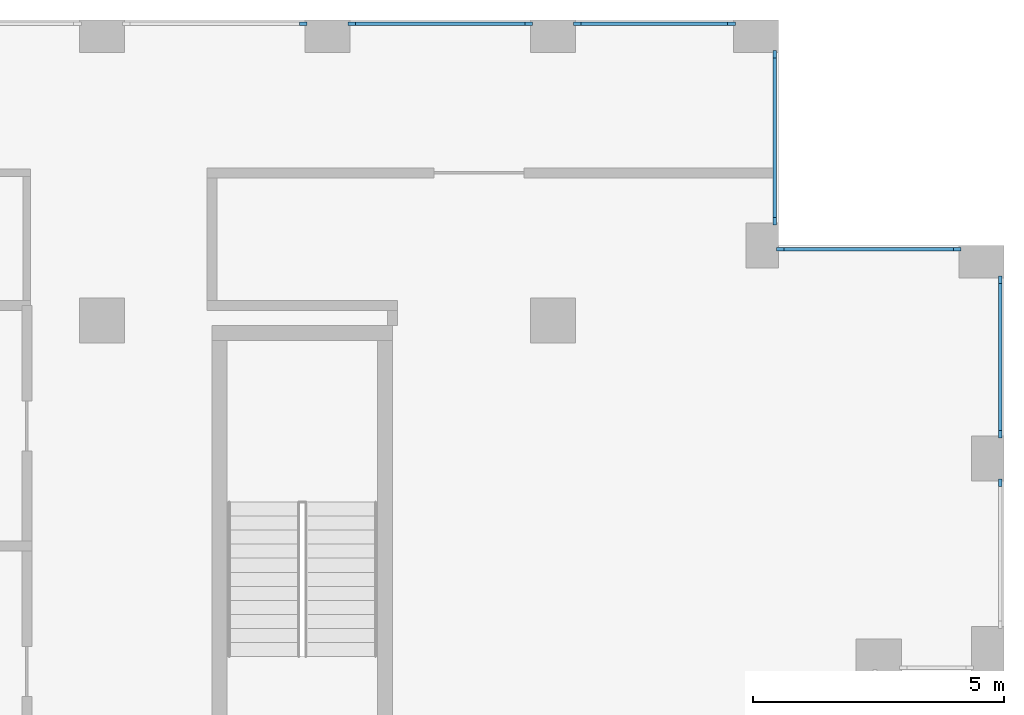
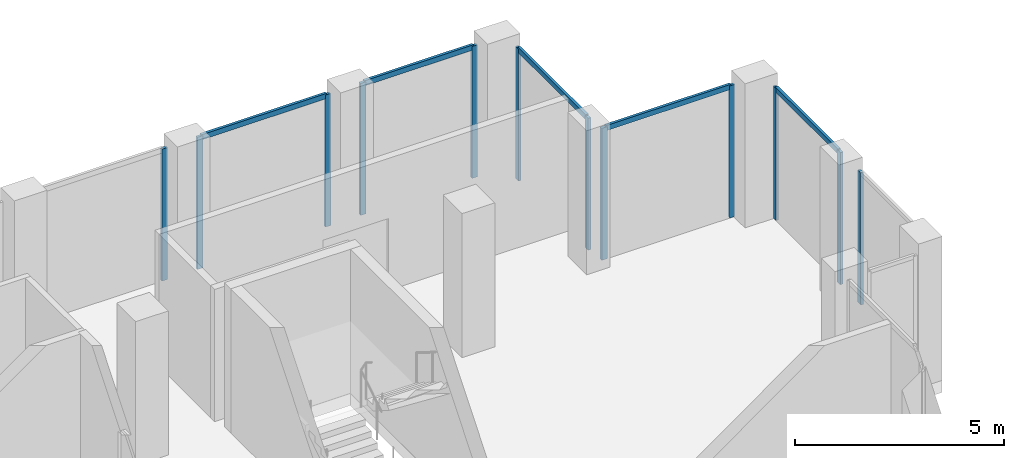
# One storey, part 9 of 15: 17 members, 7 elements without a shape of their own.
"""IFC4 building model written with IfcOpenShell, lengths in metres."""

import ifcopenshell
import ifcopenshell.guid

model = None  # the IFC model being written
_history = None  # IfcOwnerHistory: only IFC2X3 demands one
_inside = {}  # id of a spatial element -> (the spatial element, [elements in it])
_under = {}  # id of a project, library or spatial element -> (it, [spatial elements below it])
_declared = {}  # id of a project -> (the project, [libraries it declares])
_typed = {}  # id of a type object -> (the type object, [elements of that type])
_made_of = {}  # id of a material, layer set ... -> (it, [elements and type objects made of it])


def new_model(schema):
    """Start an empty IFC model of exactly this schema.

    Asked for "IFC4X3", IfcOpenShell would pick the latest addendum, in which some entities
    have other attributes; the version numbers below select the first issue.
    IFC2X3 requires an IfcOwnerHistory on every rooted entity: one is made here for all.
    """
    global model, _history
    if schema == "IFC4X3":
        model = ifcopenshell.file(schema_version=(4, 3, 0, 0))
    else:
        model = ifcopenshell.file(schema=schema)
    _inside.clear()
    _under.clear()
    _declared.clear()
    _typed.clear()
    _made_of.clear()
    _history = None
    if model.schema == "IFC2X3":
        org = make("IfcOrganization", Name="unknown")
        user = make(
            "IfcPersonAndOrganization",
            ThePerson=make("IfcPerson", FamilyName="unknown"),
            TheOrganization=org,
        )
        app = make(
            "IfcApplication",
            ApplicationDeveloper=org,
            Version="unknown",
            ApplicationFullName="unknown",
            ApplicationIdentifier="unknown",
        )
        _history = make(
            "IfcOwnerHistory",
            OwningUser=user,
            OwningApplication=app,
            ChangeAction="ADDED",
            CreationDate=0,
        )
    return model


def make(cls, **values):
    """One entity of the class cls with the attributes given. An attribute that is None is left unset."""
    return model.create_entity(
        cls, **{name: value for name, value in values.items() if value is not None}
    )


def rooted(cls, **values):
    """An entity with a GlobalId (a new one), such as an element, a storey or a relation."""
    return make(cls, GlobalId=ifcopenshell.guid.new(), OwnerHistory=_history, **values)


def si_unit(unit_type, name, prefix=None):
    """IfcSIUnit, for example si_unit("LENGTHUNIT", "METRE", prefix="MILLI")."""
    return make("IfcSIUnit", UnitType=unit_type, Prefix=prefix, Name=name)


def assignment(units):
    """IfcUnitAssignment: the units of a project."""
    return None if units is None else make("IfcUnitAssignment", Units=units)


def point(xyz):
    """IfcCartesianPoint."""
    return None if xyz is None else make("IfcCartesianPoint", Coordinates=xyz)


def direction(xyz):
    """IfcDirection."""
    return None if xyz is None else make("IfcDirection", DirectionRatios=xyz)


def frame(location, z_axis=None, x_axis=None):
    """IfcAxis2Placement3D, a coordinate frame: its origin and axes. An axis left out is left unset."""
    return make(
        "IfcAxis2Placement3D",
        Location=point(location),
        Axis=direction(z_axis),
        RefDirection=direction(x_axis),
    )


def frame_2d(location, x_axis=None):
    """IfcAxis2Placement2D, a coordinate frame in the plane: its origin and x axis."""
    return make(
        "IfcAxis2Placement2D", Location=point(location), RefDirection=direction(x_axis)
    )


def origin():
    """The frame at (0, 0, 0) with its axes left unset."""
    return frame((0.0, 0.0, 0.0))


def origin_2d():
    """The frame at (0, 0) in the plane with its x axis left unset."""
    return frame_2d((0.0, 0.0))


def place(relative_to, where):
    """IfcLocalPlacement: puts the frame where relative to a parent placement (None: the world)."""
    return make(
        "IfcLocalPlacement", PlacementRelTo=relative_to, RelativePlacement=where
    )


def context(
    kind, dimensions, precision=None, world=None, true_north=None, identifier=None
):
    """IfcGeometricRepresentationContext, for example the 3D "Model" context."""
    return make(
        "IfcGeometricRepresentationContext",
        ContextIdentifier=identifier,
        ContextType=kind,
        CoordinateSpaceDimension=dimensions,
        Precision=precision,
        WorldCoordinateSystem=world,
        TrueNorth=true_north,
    )


def subcontext(parent, identifier, kind, view, scale=None):
    """IfcGeometricRepresentationSubContext, for example "Body" below "Model"."""
    return make(
        "IfcGeometricRepresentationSubContext",
        ContextIdentifier=identifier,
        ContextType=kind,
        ParentContext=parent,
        TargetScale=scale,
        TargetView=view,
    )


def project(units=None, contexts=None):
    """IfcProject with its units and contexts."""
    return rooted(
        "IfcProject",
        Name="project",
        RepresentationContexts=contexts,
        UnitsInContext=assignment(units),
    )


def spatial(cls, under=None, at=None, **own):
    """A site, building, storey or space (cls), placed at a placement, below another one or the project."""
    s = rooted(cls, ObjectPlacement=at, **own)
    if under is not None:
        _under.setdefault(under.id(), (under, []))[1].append(s)
    return s


def profile(cls, at=None, kind="AREA", **sizes):
    """A parametric profile (cls). Its sizes go by their IFC names, for example OverallWidth=200.0."""
    return make(cls, ProfileType=kind, Position=at, **sizes)


def rectangle(**sizes):
    """IfcRectangleProfileDef."""
    return profile("IfcRectangleProfileDef", **sizes)


def extrude(swept, where, along, depth):
    """IfcExtrudedAreaSolid: the profile swept, set in the frame where, extruded along a direction by depth."""
    return make(
        "IfcExtrudedAreaSolid",
        SweptArea=swept,
        Position=where,
        ExtrudedDirection=direction(along),
        Depth=depth,
    )


def shape(context_of_items, identifier, shape_type, items):
    """IfcShapeRepresentation: the items that make up one representation, for example the "Body"."""
    return make(
        "IfcShapeRepresentation",
        ContextOfItems=context_of_items,
        RepresentationIdentifier=identifier,
        RepresentationType=shape_type,
        Items=items,
    )


def material(Name=None, Category=None):
    """IfcMaterial."""
    return make("IfcMaterial", Name=Name, Category=Category)


def layer(
    of_material, thickness, ventilated=None, Name=None, Category=None, Priority=None
):
    """IfcMaterialLayer: one layer of a wall or slab, of a material (None: an air gap)."""
    return make(
        "IfcMaterialLayer",
        Material=of_material,
        LayerThickness=thickness,
        IsVentilated=ventilated,
        Name=Name,
        Category=Category,
        Priority=Priority,
    )


def layer_set(layers, Name=None):
    """IfcMaterialLayerSet."""
    return make("IfcMaterialLayerSet", MaterialLayers=layers, LayerSetName=Name)


def material_profile(
    of_material, cross_section, Name=None, Category=None, Priority=None
):
    """IfcMaterialProfile: a cross section and its material."""
    return make(
        "IfcMaterialProfile",
        Name=Name,
        Material=of_material,
        Profile=cross_section,
        Priority=Priority,
        Category=Category,
    )


def profile_set(profiles, Name=None, composite=None):
    """IfcMaterialProfileSet."""
    return make(
        "IfcMaterialProfileSet",
        Name=Name,
        MaterialProfiles=profiles,
        CompositeProfile=composite,
    )


def made_of(thing, what):
    """Note that an element or type object is made of a material, layer set ...; save() writes the relation."""
    if what is not None:
        _made_of.setdefault(what.id(), (what, []))[1].append(thing)
    return thing


def type_object(cls, material=None, **own):
    """A type object (cls), such as IfcWallType, which elements share."""
    return made_of(rooted(cls, **own), material)


def element(
    cls,
    number,
    at=None,
    inside=None,
    cuts=None,
    type_object=None,
    material=None,
    context=None,
    identifier="Body",
    shape_type=None,
    held_by="IfcProductDefinitionShape",
    body=None,
    shapes=None,
    **own,
):
    """One element of the class cls, such as IfcWall. Its Tag is "e" and its number.

    at: its placement. inside: the storey or other place that contains it. cuts: it is an
    opening in that element (IfcRelVoidsElement). A single representation is given by context,
    identifier, shape_type and body (its items); several are given by shapes. held_by: the class
    of the entity that holds the representations. save() writes the other relations.
    """
    e = rooted(cls, Tag="e%d" % number, ObjectPlacement=at, **own)
    if body is not None:
        shapes = [shape(context, identifier, shape_type, body)]
    if shapes is not None:
        e.Representation = make(held_by, Representations=shapes)
    if inside is not None:
        _inside.setdefault(inside.id(), (inside, []))[1].append(e)
    if cuts is not None:
        rooted(
            "IfcRelVoidsElement", RelatingBuildingElement=cuts, RelatedOpeningElement=e
        )
    if type_object is not None:
        _typed.setdefault(type_object.id(), (type_object, []))[1].append(e)
    return made_of(e, material)


def aggregate(whole, parts):
    """IfcRelAggregates: a whole, such as a stair, and the parts it consists of."""
    return rooted("IfcRelAggregates", RelatingObject=whole, RelatedObjects=parts)


def save(model, path):
    """Write the relations noted so far, then the file.

    IfcRelAggregates (storeys below a building ...), IfcRelContainedInSpatialStructure (elements
    in a storey), IfcRelDefinesByType, IfcRelAssociatesMaterial and IfcRelDeclares: one each for
    every whole, place, type object, material and project.
    """
    for whole, parts in _under.values():
        aggregate(whole, parts)
    for where, things in _inside.values():
        rooted(
            "IfcRelContainedInSpatialStructure",
            RelatedElements=things,
            RelatingStructure=where,
        )
    for kind, things in _typed.values():
        rooted("IfcRelDefinesByType", RelatedObjects=things, RelatingType=kind)
    for what, things in _made_of.values():
        rooted("IfcRelAssociatesMaterial", RelatedObjects=things, RelatingMaterial=what)
    for by, libraries in _declared.values():
        rooted("IfcRelDeclares", RelatingContext=by, RelatedDefinitions=libraries)
    model.write(path)


model = new_model("IFC4")

# Units and contexts
model_context = context("Model", 3, precision=1e-05, world=origin(), true_north=direction((0.0, 1.0)))
body_context = subcontext(model_context, "Body", "Model", "MODEL_VIEW")
ifc_project = project(units=[si_unit("LENGTHUNIT", "METRE"), si_unit("AREAUNIT", "SQUARE_METRE"), si_unit("VOLUMEUNIT", "CUBIC_METRE"), si_unit("PLANEANGLEUNIT", "RADIAN"), si_unit("MASSUNIT", "GRAM", prefix="KILO")], contexts=[model_context])

# Site, building, storey
site_placement = place(None, origin())
site = spatial("IfcSite", under=ifc_project, at=site_placement, CompositionType="ELEMENT")
building_placement = place(site_placement, origin())
building = spatial("IfcBuilding", under=site, at=building_placement, Name="Brigalow Station Residences", CompositionType="ELEMENT")
storey_placement = place(building_placement, frame((0.0, 0.0, 240.0)))
storey = spatial("IfcBuildingStorey", under=building, at=storey_placement, Name="L69", CompositionType="ELEMENT", Elevation=240.0)

# Curtain wall, member
ifc_material_1 = material(Name="Aluminium", Category="aluminium")
ifc_layer = layer(ifc_material_1, 0.14990234375)
ifc_layer_set = layer_set([ifc_layer], Name="CROWN CURTAIN WALL")
curtain_wall_type = type_object("IfcCurtainWallType", Name="CROWN CURTAIN WALL", PredefinedType="NOTDEFINED", material=ifc_layer_set)
curtain_wall_1_placement = place(storey_placement, origin())
curtain_wall_1 = element("IfcCurtainWall", 1, at=curtain_wall_1_placement, inside=storey, type_object=curtain_wall_type, Name="L69/cw/crown-W-L69-16-15", PredefinedType="NOTDEFINED")
ifc_material_2 = material(Name="Aluminium", Category="aluminium")
ifc_material_profile_1 = material_profile(ifc_material_2, rectangle(XDim=0.074951171875, YDim=0.14990234375, at=origin_2d()), Name="CROWN MULLION 75x150")
ifc_profile_set_1 = profile_set([ifc_material_profile_1], Name="Aluminium")
member_type_1 = type_object("IfcMemberType", Name="CROWN MULLION 75x150", PredefinedType="MULLION", material=ifc_profile_set_1)
member_1_placement = place(storey_placement, frame((71.925048828125, 32.262451171875, 0.0), z_axis=(0.0, 0.0, 1.0), x_axis=(-1.0, 0.0, 0.0)))
member_1 = element("IfcMember", 2, at=member_1_placement, type_object=member_type_1, Name="L69/cw/crown-W-L69-16-15/M01", PredefinedType="MULLION", context=body_context, shape_type="SweptSolid", body=[
    extrude(rectangle(XDim=0.074951171875, YDim=0.14990234375, at=origin_2d()), origin(), (0.0, 0.0, 1.0), 3.85009765625),
])
aggregate(curtain_wall_1, [member_1])

# Curtain wall, members
curtain_wall_2_placement = place(storey_placement, origin())
curtain_wall_2 = element("IfcCurtainWall", 3, at=curtain_wall_2_placement, inside=storey, type_object=curtain_wall_type, Name="L69/cw/crown-W-L69-16-16", PredefinedType="NOTDEFINED")
member_2_placement = place(storey_placement, frame((71.925048828125, 33.237548828125, 0.0), z_axis=(0.0, 0.0, 1.0), x_axis=(-1.0, 0.0, 0.0)))
member_2 = element("IfcMember", 4, at=member_2_placement, type_object=member_type_1, Name="L69/cw/crown-W-L69-16-16/M00", PredefinedType="MULLION", context=body_context, shape_type="SweptSolid", body=[
    extrude(rectangle(XDim=0.074951171875, YDim=0.14990234375, at=origin_2d()), origin(), (0.0, 0.0, 1.0), 3.85009765625),
])
member_3_placement = place(storey_placement, frame((71.925048828125, 36.3125, 0.0), z_axis=(0.0, 0.0, 1.0), x_axis=(-1.0, 0.0, 0.0)))
member_3 = element("IfcMember", 5, at=member_3_placement, type_object=member_type_1, Name="L69/cw/crown-W-L69-16-16/M01", PredefinedType="MULLION", context=body_context, shape_type="SweptSolid", body=[
    extrude(rectangle(XDim=0.074951171875, YDim=0.14990234375, at=origin_2d()), origin(), (0.0, 0.0, 1.0), 3.85009765625),
])

curtain_wall_3_placement = place(storey_placement, origin())
curtain_wall_3 = element("IfcCurtainWall", 6, at=curtain_wall_3_placement, inside=storey, type_object=curtain_wall_type, Name="L69/cw/crown-W-L69-18-17", PredefinedType="NOTDEFINED")
member_4_placement = place(storey_placement, frame((71.0625, 36.925048828125, 0.0), z_axis=(0.0, 0.0, 1.0), x_axis=(0.0, -1.0, 0.0)))
member_4 = element("IfcMember", 7, at=member_4_placement, type_object=member_type_1, Name="L69/cw/crown-W-L69-18-17/M00", PredefinedType="MULLION", context=body_context, shape_type="SweptSolid", body=[
    extrude(rectangle(XDim=0.074951171875, YDim=0.14990234375, at=origin_2d()), origin(), (0.0, 0.0, 1.0), 3.85009765625),
])
member_5_placement = place(storey_placement, frame((67.53759765625, 36.925048828125, 0.0), z_axis=(0.0, 0.0, 1.0), x_axis=(0.0, -1.0, 0.0)))
member_5 = element("IfcMember", 8, at=member_5_placement, type_object=member_type_1, Name="L69/cw/crown-W-L69-18-17/M01", PredefinedType="MULLION", context=body_context, shape_type="SweptSolid", body=[
    extrude(rectangle(XDim=0.074951171875, YDim=0.14990234375, at=origin_2d()), origin(), (0.0, 0.0, 1.0), 3.85009765625),
])

curtain_wall_4_placement = place(storey_placement, origin())
curtain_wall_4 = element("IfcCurtainWall", 9, at=curtain_wall_4_placement, inside=storey, type_object=curtain_wall_type, Name="L69/cw/crown-W-L69-19-18", PredefinedType="NOTDEFINED")
member_6_placement = place(storey_placement, frame((67.425048828125, 37.487548828125, 0.0), z_axis=(0.0, 0.0, 1.0), x_axis=(-1.0, 0.0, 0.0)))
member_6 = element("IfcMember", 10, at=member_6_placement, type_object=member_type_1, Name="L69/cw/crown-W-L69-19-18/M00", PredefinedType="MULLION", context=body_context, shape_type="SweptSolid", body=[
    extrude(rectangle(XDim=0.074951171875, YDim=0.14990234375, at=origin_2d()), origin(), (0.0, 0.0, 1.0), 3.85009765625),
])
member_7_placement = place(storey_placement, frame((67.425048828125, 40.8125, 0.0), z_axis=(0.0, 0.0, 1.0), x_axis=(-1.0, 0.0, 0.0)))
member_7 = element("IfcMember", 11, at=member_7_placement, type_object=member_type_1, Name="L69/cw/crown-W-L69-19-18/M01", PredefinedType="MULLION", context=body_context, shape_type="SweptSolid", body=[
    extrude(rectangle(XDim=0.074951171875, YDim=0.14990234375, at=origin_2d()), origin(), (0.0, 0.0, 1.0), 3.85009765625),
])

curtain_wall_5_placement = place(storey_placement, origin())
curtain_wall_5 = element("IfcCurtainWall", 12, at=curtain_wall_5_placement, inside=storey, type_object=curtain_wall_type, Name="L69/cw/crown-W-L69-20-19", PredefinedType="NOTDEFINED")
member_8_placement = place(storey_placement, frame((66.5625, 41.425048828125, 0.0), z_axis=(0.0, 0.0, 1.0), x_axis=(0.0, -1.0, 0.0)))
member_8 = element("IfcMember", 13, at=member_8_placement, type_object=member_type_1, Name="L69/cw/crown-W-L69-20-19/M00", PredefinedType="MULLION", context=body_context, shape_type="SweptSolid", body=[
    extrude(rectangle(XDim=0.074951171875, YDim=0.14990234375, at=origin_2d()), origin(), (0.0, 0.0, 1.0), 3.85009765625),
])
member_9_placement = place(storey_placement, frame((63.487548828125, 41.425048828125, 0.0), z_axis=(0.0, 0.0, 1.0), x_axis=(0.0, -1.0, 0.0)))
member_9 = element("IfcMember", 14, at=member_9_placement, type_object=member_type_1, Name="L69/cw/crown-W-L69-20-19/M01", PredefinedType="MULLION", context=body_context, shape_type="SweptSolid", body=[
    extrude(rectangle(XDim=0.074951171875, YDim=0.14990234375, at=origin_2d()), origin(), (0.0, 0.0, 1.0), 3.85009765625),
])

curtain_wall_6_placement = place(storey_placement, origin())
curtain_wall_6 = element("IfcCurtainWall", 15, at=curtain_wall_6_placement, inside=storey, type_object=curtain_wall_type, Name="L69/cw/crown-W-L69-20-20", PredefinedType="NOTDEFINED")
member_10_placement = place(storey_placement, frame((62.512451171875, 41.425048828125, 0.0), z_axis=(0.0, 0.0, 1.0), x_axis=(0.0, -1.0, 0.0)))
member_10 = element("IfcMember", 16, at=member_10_placement, type_object=member_type_1, Name="L69/cw/crown-W-L69-20-20/M00", PredefinedType="MULLION", context=body_context, shape_type="SweptSolid", body=[
    extrude(rectangle(XDim=0.074951171875, YDim=0.14990234375, at=origin_2d()), origin(), (0.0, 0.0, 1.0), 3.85009765625),
])
member_11_placement = place(storey_placement, frame((58.987548828125, 41.425048828125, 0.0), z_axis=(0.0, 0.0, 1.0), x_axis=(0.0, -1.0, 0.0)))
member_11 = element("IfcMember", 17, at=member_11_placement, type_object=member_type_1, Name="L69/cw/crown-W-L69-20-20/M01", PredefinedType="MULLION", context=body_context, shape_type="SweptSolid", body=[
    extrude(rectangle(XDim=0.074951171875, YDim=0.14990234375, at=origin_2d()), origin(), (0.0, 0.0, 1.0), 3.85009765625),
])

# Curtain wall, member
curtain_wall_7_placement = place(storey_placement, origin())
curtain_wall_7 = element("IfcCurtainWall", 18, at=curtain_wall_7_placement, inside=storey, type_object=curtain_wall_type, Name="L69/cw/crown-W-L69-20-21", PredefinedType="NOTDEFINED")
member_12_placement = place(storey_placement, frame((58.012451171875, 41.425048828125, 0.0), z_axis=(0.0, 0.0, 1.0), x_axis=(0.0, -1.0, 0.0)))
member_12 = element("IfcMember", 19, at=member_12_placement, type_object=member_type_1, Name="L69/cw/crown-W-L69-20-21/M00", PredefinedType="MULLION", context=body_context, shape_type="SweptSolid", body=[
    extrude(rectangle(XDim=0.074951171875, YDim=0.14990234375, at=origin_2d()), origin(), (0.0, 0.0, 1.0), 3.85009765625),
])
aggregate(curtain_wall_7, [member_12])

# Member
ifc_material_3 = material(Name="Aluminium", Category="aluminium")
ifc_material_profile_2 = material_profile(ifc_material_3, rectangle(XDim=0.074951171875, YDim=0.14990234375, at=origin_2d()), Name="CROWN TRANSOM 75x150")
ifc_profile_set_2 = profile_set([ifc_material_profile_2], Name="Aluminium")
member_type_2 = type_object("IfcMemberType", Name="CROWN TRANSOM 75x150", PredefinedType="USERDEFINED", material=ifc_profile_set_2)
member_13_placement = place(storey_placement, frame((71.925048828125, 33.27490234375, 3.8125), z_axis=(0.0, 1.0, 0.0), x_axis=(-1.0, 0.0, 0.0)))
member_13 = element("IfcMember", 20, at=member_13_placement, type_object=member_type_2, Name="L69/cw/crown-W-L69-16-16/T00-00", ObjectType="TRANSOM", PredefinedType="USERDEFINED", context=body_context, shape_type="SweptSolid", body=[
    extrude(rectangle(XDim=0.074951171875, YDim=0.14990234375, at=origin_2d()), origin(), (0.0, 0.0, 1.0), 3.0),
])

aggregate(curtain_wall_2, [member_2, member_3, member_13])

member_14_placement = place(storey_placement, frame((71.02490234375, 36.925048828125, 3.8125), z_axis=(-1.0, 0.0, 0.0), x_axis=(0.0, -1.0, 0.0)))
member_14 = element("IfcMember", 21, at=member_14_placement, type_object=member_type_2, Name="L69/cw/crown-W-L69-18-17/T00-00", ObjectType="TRANSOM", PredefinedType="USERDEFINED", context=body_context, shape_type="SweptSolid", body=[
    extrude(rectangle(XDim=0.074951171875, YDim=0.14990234375, at=origin_2d()), origin(), (0.0, 0.0, 1.0), 3.449951171875),
])

aggregate(curtain_wall_3, [member_4, member_5, member_14])

member_15_placement = place(storey_placement, frame((67.425048828125, 37.52490234375, 3.8125), z_axis=(0.0, 1.0, 0.0), x_axis=(-1.0, 0.0, 0.0)))
member_15 = element("IfcMember", 22, at=member_15_placement, type_object=member_type_2, Name="L69/cw/crown-W-L69-19-18/T00-00", ObjectType="TRANSOM", PredefinedType="USERDEFINED", context=body_context, shape_type="SweptSolid", body=[
    extrude(rectangle(XDim=0.074951171875, YDim=0.14990234375, at=origin_2d()), origin(), (0.0, 0.0, 1.0), 3.25),
])

aggregate(curtain_wall_4, [member_6, member_7, member_15])

member_16_placement = place(storey_placement, frame((66.52490234375, 41.425048828125, 3.8125), z_axis=(-1.0, 0.0, 0.0), x_axis=(0.0, -1.0, 0.0)))
member_16 = element("IfcMember", 23, at=member_16_placement, type_object=member_type_2, Name="L69/cw/crown-W-L69-20-19/T00-00", ObjectType="TRANSOM", PredefinedType="USERDEFINED", context=body_context, shape_type="SweptSolid", body=[
    extrude(rectangle(XDim=0.074951171875, YDim=0.14990234375, at=origin_2d()), origin(), (0.0, 0.0, 1.0), 3.0),
])

aggregate(curtain_wall_5, [member_8, member_9, member_16])

member_17_placement = place(storey_placement, frame((62.47509765625, 41.425048828125, 3.8125), z_axis=(-1.0, 0.0, 0.0), x_axis=(0.0, -1.0, 0.0)))
member_17 = element("IfcMember", 24, at=member_17_placement, type_object=member_type_2, Name="L69/cw/crown-W-L69-20-20/T00-00", ObjectType="TRANSOM", PredefinedType="USERDEFINED", context=body_context, shape_type="SweptSolid", body=[
    extrude(rectangle(XDim=0.074951171875, YDim=0.14990234375, at=origin_2d()), origin(), (0.0, 0.0, 1.0), 3.4501953125),
])

aggregate(curtain_wall_6, [member_10, member_11, member_17])

save(model, "model.ifc")
